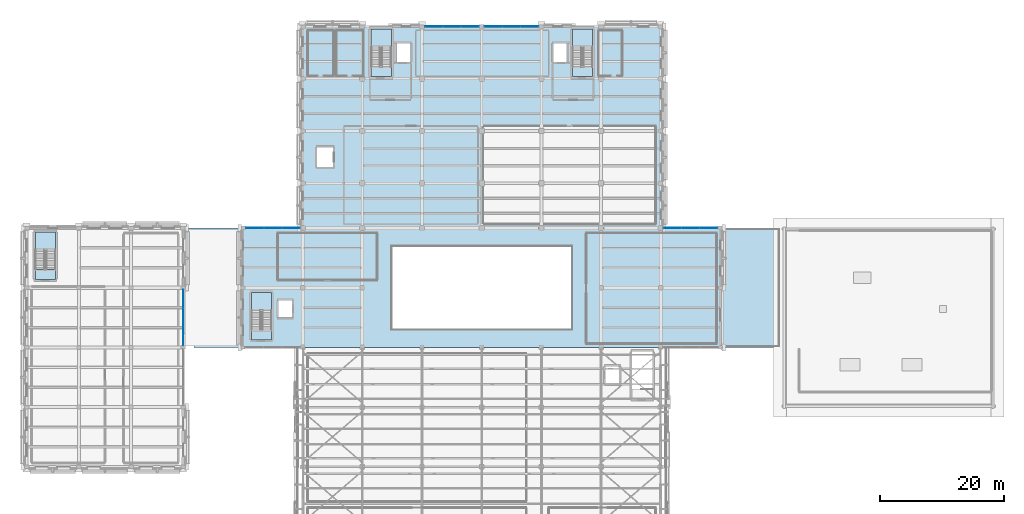
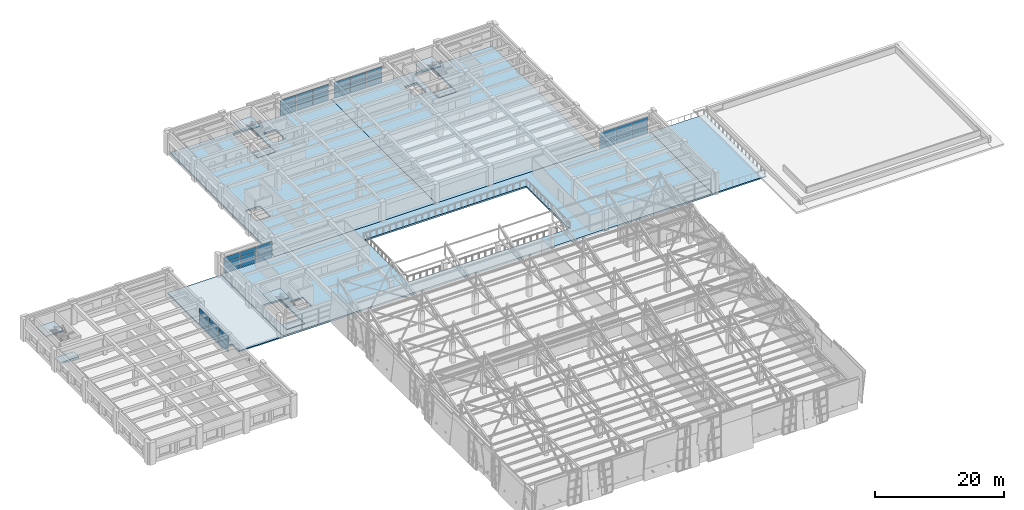
# One storey, part 37 of 71: 45 plates, 13 slabs, 9 elements without a shape of their own.
"""IFC4 building model written with IfcOpenShell, lengths in metres."""

from ifc_helpers import new_model, si_unit, direction, frame, origin, origin_2d, place, context, subcontext, project, spatial, polyline, rectangle, outline, extrude, material, layer, layer_set, type_object, element, aggregate, save


model = new_model("IFC4")

# Units and contexts
model_context = context("Model", 3, precision=1e-05, world=origin(), true_north=direction((0.0, 1.0)))
body_context = subcontext(model_context, "Body", "Model", "MODEL_VIEW")
ifc_project = project(units=[si_unit("LENGTHUNIT", "METRE"), si_unit("AREAUNIT", "SQUARE_METRE"), si_unit("VOLUMEUNIT", "CUBIC_METRE"), si_unit("PLANEANGLEUNIT", "RADIAN"), si_unit("MASSUNIT", "GRAM", prefix="KILO")], contexts=[model_context])

# Site, building, storey
site_placement = place(None, origin())
site = spatial("IfcSite", under=ifc_project, at=site_placement, CompositionType="ELEMENT")
building_placement = place(site_placement, origin())
building = spatial("IfcBuilding", under=site, at=building_placement, Name="Bempovik Park Faculty of Sciences", CompositionType="ELEMENT")
storey_placement = place(building_placement, frame((0.0, 0.0, 14.10009765625)))
storey = spatial("IfcBuildingStorey", under=building, at=storey_placement, Name="L03", CompositionType="ELEMENT", Elevation=14.10009765625)

# Curtain wall, plates
ifc_material_1 = material(Name="Tempered laminated low-E glass", Category="glass")
ifc_layer_1 = layer(ifc_material_1, 0.159912109375)
ifc_layer_set_1 = layer_set([ifc_layer_1], Name="Tempered laminated low-E glass")
curtain_wall_type_1 = type_object("IfcCurtainWallType", Name="CW-41 Curtain 6600x3800", PredefinedType="USERDEFINED", material=ifc_layer_set_1)
curtain_wall_1_placement = place(storey_placement, origin())
curtain_wall_1 = element("IfcCurtainWall", 1, at=curtain_wall_1_placement, inside=storey, type_object=curtain_wall_type_1, Name="L03 Unitised Curtain Wall (87.0,50.4)", ObjectType="UNITISED CURTAIN WALL", PredefinedType="USERDEFINED")
ifc_layer_2 = layer(ifc_material_1, 0.033935546875)
ifc_layer_set_2 = layer_set([ifc_layer_2], Name="Tempered laminated low-E glass")
plate_type_1 = type_object("IfcPlateType", Name="CP-19 Curtain Panel 34mm", PredefinedType="CURTAIN_PANEL", material=ifc_layer_set_2)
plate_1_placement = place(storey_placement, frame((52.305419921875, 87.0, 1.06640625), z_axis=(0.0, 0.0, 1.0), x_axis=(1.0, 0.0, 0.0)))
plate_1 = element("IfcPlate", 2, at=plate_1_placement, type_object=plate_type_1, Name="CW-BAY-L03-870-504 Panel 0-1", PredefinedType="CURTAIN_PANEL", context=body_context, shape_type="SweptSolid", body=[
    extrude(rectangle(XDim=2.826904296875, YDim=0.035888671875, at=origin_2d()), origin(), (0.0, 0.0, 1.0), 0.94677734375),
])
plate_2_placement = place(storey_placement, frame((52.305419921875, 87.0, 2.09326171875), z_axis=(0.0, 0.0, 1.0), x_axis=(1.0, 0.0, 0.0)))
plate_2 = element("IfcPlate", 3, at=plate_2_placement, type_object=plate_type_1, Name="CW-BAY-L03-870-504 Panel 0-2", PredefinedType="CURTAIN_PANEL", context=body_context, shape_type="SweptSolid", body=[
    extrude(rectangle(XDim=2.826904296875, YDim=0.035888671875, at=origin_2d()), origin(), (0.0, 0.0, 1.0), 0.94677734375),
])
plate_3_placement = place(storey_placement, frame((55.21240234375, 87.0, 1.06640625), z_axis=(0.0, 0.0, 1.0), x_axis=(1.0, 0.0, 0.0)))
plate_3 = element("IfcPlate", 4, at=plate_3_placement, type_object=plate_type_1, Name="CW-BAY-L03-870-504 Panel 1-1", PredefinedType="CURTAIN_PANEL", context=body_context, shape_type="SweptSolid", body=[
    extrude(rectangle(XDim=2.826904296875, YDim=0.035888671875, at=origin_2d()), origin(), (0.0, 0.0, 1.0), 0.94677734375),
])
plate_4_placement = place(storey_placement, frame((55.21240234375, 87.0, 2.09326171875), z_axis=(0.0, 0.0, 1.0), x_axis=(1.0, 0.0, 0.0)))
plate_4 = element("IfcPlate", 5, at=plate_4_placement, type_object=plate_type_1, Name="CW-BAY-L03-870-504 Panel 1-2", PredefinedType="CURTAIN_PANEL", context=body_context, shape_type="SweptSolid", body=[
    extrude(rectangle(XDim=2.826904296875, YDim=0.035888671875, at=origin_2d()), origin(), (0.0, 0.0, 1.0), 0.94677734375),
])
plate_5_placement = place(storey_placement, frame((58.119384765625, 87.0, 1.06640625), z_axis=(0.0, 0.0, 1.0), x_axis=(1.0, 0.0, 0.0)))
plate_5 = element("IfcPlate", 6, at=plate_5_placement, type_object=plate_type_1, Name="CW-BAY-L03-870-504 Panel 2-1", PredefinedType="CURTAIN_PANEL", context=body_context, shape_type="SweptSolid", body=[
    extrude(rectangle(XDim=2.826904296875, YDim=0.035888671875, at=origin_2d()), origin(), (0.0, 0.0, 1.0), 0.94677734375),
])
plate_6_placement = place(storey_placement, frame((58.119384765625, 87.0, 2.09326171875), z_axis=(0.0, 0.0, 1.0), x_axis=(1.0, 0.0, 0.0)))
plate_6 = element("IfcPlate", 7, at=plate_6_placement, type_object=plate_type_1, Name="CW-BAY-L03-870-504 Panel 2-2", PredefinedType="CURTAIN_PANEL", context=body_context, shape_type="SweptSolid", body=[
    extrude(rectangle(XDim=2.826904296875, YDim=0.035888671875, at=origin_2d()), origin(), (0.0, 0.0, 1.0), 0.94677734375),
])

curtain_wall_2_placement = place(storey_placement, origin())
curtain_wall_2 = element("IfcCurtainWall", 8, at=curtain_wall_2_placement, inside=storey, type_object=curtain_wall_type_1, Name="L03 Unitised Curtain Wall (87.0,117.6)", ObjectType="UNITISED CURTAIN WALL", PredefinedType="USERDEFINED")
plate_7_placement = place(storey_placement, frame((119.48046875, 87.0, 1.06640625), z_axis=(0.0, 0.0, 1.0), x_axis=(1.0, 0.0, 0.0)))
plate_7 = element("IfcPlate", 9, at=plate_7_placement, type_object=plate_type_1, Name="CW-BAY-L03-870-1176 Panel 0-1", PredefinedType="CURTAIN_PANEL", context=body_context, shape_type="SweptSolid", body=[
    extrude(rectangle(XDim=2.826904296875, YDim=0.035888671875, at=origin_2d()), origin(), (0.0, 0.0, 1.0), 0.94677734375),
])
plate_8_placement = place(storey_placement, frame((119.48046875, 87.0, 2.09326171875), z_axis=(0.0, 0.0, 1.0), x_axis=(1.0, 0.0, 0.0)))
plate_8 = element("IfcPlate", 10, at=plate_8_placement, type_object=plate_type_1, Name="CW-BAY-L03-870-1176 Panel 0-2", PredefinedType="CURTAIN_PANEL", context=body_context, shape_type="SweptSolid", body=[
    extrude(rectangle(XDim=2.826904296875, YDim=0.035888671875, at=origin_2d()), origin(), (0.0, 0.0, 1.0), 0.94677734375),
])
plate_9_placement = place(storey_placement, frame((122.387451171875, 87.0, 1.06640625), z_axis=(0.0, 0.0, 1.0), x_axis=(1.0, 0.0, 0.0)))
plate_9 = element("IfcPlate", 11, at=plate_9_placement, type_object=plate_type_1, Name="CW-BAY-L03-870-1176 Panel 1-1", PredefinedType="CURTAIN_PANEL", context=body_context, shape_type="SweptSolid", body=[
    extrude(rectangle(XDim=2.826904296875, YDim=0.035888671875, at=origin_2d()), origin(), (0.0, 0.0, 1.0), 0.94677734375),
])
plate_10_placement = place(storey_placement, frame((122.387451171875, 87.0, 2.09326171875), z_axis=(0.0, 0.0, 1.0), x_axis=(1.0, 0.0, 0.0)))
plate_10 = element("IfcPlate", 12, at=plate_10_placement, type_object=plate_type_1, Name="CW-BAY-L03-870-1176 Panel 1-2", PredefinedType="CURTAIN_PANEL", context=body_context, shape_type="SweptSolid", body=[
    extrude(rectangle(XDim=2.826904296875, YDim=0.035888671875, at=origin_2d()), origin(), (0.0, 0.0, 1.0), 0.94677734375),
])
plate_11_placement = place(storey_placement, frame((125.29443359375, 87.0, 1.06640625), z_axis=(0.0, 0.0, 1.0), x_axis=(1.0, 0.0, 0.0)))
plate_11 = element("IfcPlate", 13, at=plate_11_placement, type_object=plate_type_1, Name="CW-BAY-L03-870-1176 Panel 2-1", PredefinedType="CURTAIN_PANEL", context=body_context, shape_type="SweptSolid", body=[
    extrude(rectangle(XDim=2.826904296875, YDim=0.035888671875, at=origin_2d()), origin(), (0.0, 0.0, 1.0), 0.94677734375),
])
plate_12_placement = place(storey_placement, frame((125.29443359375, 87.0, 2.09326171875), z_axis=(0.0, 0.0, 1.0), x_axis=(1.0, 0.0, 0.0)))
plate_12 = element("IfcPlate", 14, at=plate_12_placement, type_object=plate_type_1, Name="CW-BAY-L03-870-1176 Panel 2-2", PredefinedType="CURTAIN_PANEL", context=body_context, shape_type="SweptSolid", body=[
    extrude(rectangle(XDim=2.826904296875, YDim=0.035888671875, at=origin_2d()), origin(), (0.0, 0.0, 1.0), 0.94677734375),
])

ifc_layer_3 = layer(ifc_material_1, 0.159912109375)
ifc_layer_set_3 = layer_set([ifc_layer_3], Name="Tempered laminated low-E glass")
curtain_wall_type_2 = type_object("IfcCurtainWallType", Name="CW-24 Curtain 7000x3500", PredefinedType="USERDEFINED", material=ifc_layer_set_3)
curtain_wall_3_placement = place(storey_placement, origin())
curtain_wall_3 = element("IfcCurtainWall", 15, at=curtain_wall_3_placement, inside=storey, type_object=curtain_wall_type_2, Name="L03 Unitised Curtain Wall (119.4,79.2)", ObjectType="UNITISED CURTAIN WALL", PredefinedType="USERDEFINED")
ifc_layer_4 = layer(ifc_material_1, 0.028076171875)
ifc_layer_set_4 = layer_set([ifc_layer_4], Name="Tempered laminated low-E glass")
plate_type_2 = type_object("IfcPlateType", Name="CP-20 Curtain Panel 28mm", PredefinedType="CURTAIN_PANEL", material=ifc_layer_set_4)
plate_13_placement = place(storey_placement, frame((81.101318359375, 119.39990234375, 1.06640625), z_axis=(0.0, 0.0, 1.0), x_axis=(1.0, 0.0, 0.0)))
plate_13 = element("IfcPlate", 16, at=plate_13_placement, type_object=plate_type_2, Name="CW-BAY-L03-1194-792 Panel 0-1", PredefinedType="CURTAIN_PANEL", context=body_context, shape_type="SweptSolid", body=[
    extrude(rectangle(XDim=2.818603515625, YDim=0.035888671875, at=origin_2d()), origin(), (0.0, 0.0, 1.0), 0.94677734375),
])
plate_14_placement = place(storey_placement, frame((81.101318359375, 119.39990234375, 2.09326171875), z_axis=(0.0, 0.0, 1.0), x_axis=(1.0, 0.0, 0.0)))
plate_14 = element("IfcPlate", 17, at=plate_14_placement, type_object=plate_type_2, Name="CW-BAY-L03-1194-792 Panel 0-2", PredefinedType="CURTAIN_PANEL", context=body_context, shape_type="SweptSolid", body=[
    extrude(rectangle(XDim=2.818603515625, YDim=0.035888671875, at=origin_2d()), origin(), (0.0, 0.0, 1.0), 0.94677734375),
])
plate_15_placement = place(storey_placement, frame((84.0, 119.39990234375, 1.06640625), z_axis=(0.0, 0.0, 1.0), x_axis=(1.0, 0.0, 0.0)))
plate_15 = element("IfcPlate", 18, at=plate_15_placement, type_object=plate_type_2, Name="CW-BAY-L03-1194-792 Panel 1-1", PredefinedType="CURTAIN_PANEL", context=body_context, shape_type="SweptSolid", body=[
    extrude(rectangle(XDim=2.818603515625, YDim=0.035888671875, at=origin_2d()), origin(), (0.0, 0.0, 1.0), 0.94677734375),
])
plate_16_placement = place(storey_placement, frame((84.0, 119.39990234375, 2.09326171875), z_axis=(0.0, 0.0, 1.0), x_axis=(1.0, 0.0, 0.0)))
plate_16 = element("IfcPlate", 19, at=plate_16_placement, type_object=plate_type_2, Name="CW-BAY-L03-1194-792 Panel 1-2", PredefinedType="CURTAIN_PANEL", context=body_context, shape_type="SweptSolid", body=[
    extrude(rectangle(XDim=2.818603515625, YDim=0.035888671875, at=origin_2d()), origin(), (0.0, 0.0, 1.0), 0.94677734375),
])
plate_17_placement = place(storey_placement, frame((86.898681640625, 119.39990234375, 1.06640625), z_axis=(0.0, 0.0, 1.0), x_axis=(1.0, 0.0, 0.0)))
plate_17 = element("IfcPlate", 20, at=plate_17_placement, type_object=plate_type_2, Name="CW-BAY-L03-1194-792 Panel 2-1", PredefinedType="CURTAIN_PANEL", context=body_context, shape_type="SweptSolid", body=[
    extrude(rectangle(XDim=2.818603515625, YDim=0.035888671875, at=origin_2d()), origin(), (0.0, 0.0, 1.0), 0.94677734375),
])
plate_18_placement = place(storey_placement, frame((86.898681640625, 119.39990234375, 2.09326171875), z_axis=(0.0, 0.0, 1.0), x_axis=(1.0, 0.0, 0.0)))
plate_18 = element("IfcPlate", 21, at=plate_18_placement, type_object=plate_type_2, Name="CW-BAY-L03-1194-792 Panel 2-2", PredefinedType="CURTAIN_PANEL", context=body_context, shape_type="SweptSolid", body=[
    extrude(rectangle(XDim=2.818603515625, YDim=0.035888671875, at=origin_2d()), origin(), (0.0, 0.0, 1.0), 0.94677734375),
])

curtain_wall_4_placement = place(storey_placement, origin())
curtain_wall_4 = element("IfcCurtainWall", 22, at=curtain_wall_4_placement, inside=storey, type_object=curtain_wall_type_2, Name="L03 Unitised Curtain Wall (119.4,88.8)", ObjectType="UNITISED CURTAIN WALL", PredefinedType="USERDEFINED")
plate_19_placement = place(storey_placement, frame((90.701416015625, 119.39990234375, 1.06640625), z_axis=(0.0, 0.0, 1.0), x_axis=(1.0, 0.0, 0.0)))
plate_19 = element("IfcPlate", 23, at=plate_19_placement, type_object=plate_type_2, Name="CW-BAY-L03-1194-888 Panel 0-1", PredefinedType="CURTAIN_PANEL", context=body_context, shape_type="SweptSolid", body=[
    extrude(rectangle(XDim=2.818603515625, YDim=0.035888671875, at=origin_2d()), origin(), (0.0, 0.0, 1.0), 0.94677734375),
])
plate_20_placement = place(storey_placement, frame((90.701416015625, 119.39990234375, 2.09326171875), z_axis=(0.0, 0.0, 1.0), x_axis=(1.0, 0.0, 0.0)))
plate_20 = element("IfcPlate", 24, at=plate_20_placement, type_object=plate_type_2, Name="CW-BAY-L03-1194-888 Panel 0-2", PredefinedType="CURTAIN_PANEL", context=body_context, shape_type="SweptSolid", body=[
    extrude(rectangle(XDim=2.818603515625, YDim=0.035888671875, at=origin_2d()), origin(), (0.0, 0.0, 1.0), 0.94677734375),
])
plate_21_placement = place(storey_placement, frame((93.60009765625, 119.39990234375, 1.06640625), z_axis=(0.0, 0.0, 1.0), x_axis=(1.0, 0.0, 0.0)))
plate_21 = element("IfcPlate", 25, at=plate_21_placement, type_object=plate_type_2, Name="CW-BAY-L03-1194-888 Panel 1-1", PredefinedType="CURTAIN_PANEL", context=body_context, shape_type="SweptSolid", body=[
    extrude(rectangle(XDim=2.818603515625, YDim=0.035888671875, at=origin_2d()), origin(), (0.0, 0.0, 1.0), 0.94677734375),
])
plate_22_placement = place(storey_placement, frame((93.60009765625, 119.39990234375, 2.09326171875), z_axis=(0.0, 0.0, 1.0), x_axis=(1.0, 0.0, 0.0)))
plate_22 = element("IfcPlate", 26, at=plate_22_placement, type_object=plate_type_2, Name="CW-BAY-L03-1194-888 Panel 1-2", PredefinedType="CURTAIN_PANEL", context=body_context, shape_type="SweptSolid", body=[
    extrude(rectangle(XDim=2.818603515625, YDim=0.035888671875, at=origin_2d()), origin(), (0.0, 0.0, 1.0), 0.94677734375),
])
plate_23_placement = place(storey_placement, frame((96.498779296875, 119.39990234375, 1.06640625), z_axis=(0.0, 0.0, 1.0), x_axis=(1.0, 0.0, 0.0)))
plate_23 = element("IfcPlate", 27, at=plate_23_placement, type_object=plate_type_2, Name="CW-BAY-L03-1194-888 Panel 2-1", PredefinedType="CURTAIN_PANEL", context=body_context, shape_type="SweptSolid", body=[
    extrude(rectangle(XDim=2.818603515625, YDim=0.035888671875, at=origin_2d()), origin(), (0.0, 0.0, 1.0), 0.94677734375),
])
plate_24_placement = place(storey_placement, frame((96.498779296875, 119.39990234375, 2.09326171875), z_axis=(0.0, 0.0, 1.0), x_axis=(1.0, 0.0, 0.0)))
plate_24 = element("IfcPlate", 28, at=plate_24_placement, type_object=plate_type_2, Name="CW-BAY-L03-1194-888 Panel 2-2", PredefinedType="CURTAIN_PANEL", context=body_context, shape_type="SweptSolid", body=[
    extrude(rectangle(XDim=2.818603515625, YDim=0.035888671875, at=origin_2d()), origin(), (0.0, 0.0, 1.0), 0.94677734375),
])

ifc_layer_5 = layer(ifc_material_1, 0.159912109375)
ifc_layer_set_5 = layer_set([ifc_layer_5], Name="Tempered laminated low-E glass")
curtain_wall_type_3 = type_object("IfcCurtainWallType", Name="CW-42 Curtain 6400x3700", PredefinedType="USERDEFINED", material=ifc_layer_set_5)
curtain_wall_5_placement = place(storey_placement, origin())
curtain_wall_5 = element("IfcCurtainWall", 29, at=curtain_wall_5_placement, inside=storey, type_object=curtain_wall_type_3, Name="L03 Unitised Curtain Wall (40.8,67.8)", ObjectType="UNITISED CURTAIN WALL", PredefinedType="USERDEFINED")
plate_25_placement = place(storey_placement, frame((40.800048828125, 69.581298828125, 1.06640625), z_axis=(0.0, 0.0, 1.0), x_axis=(0.0, 1.0, 0.0)))
plate_25 = element("IfcPlate", 30, at=plate_25_placement, type_object=plate_type_2, Name="CW-BAY-L03-408-678 Panel 0-1", PredefinedType="CURTAIN_PANEL", context=body_context, shape_type="SweptSolid", body=[
    extrude(rectangle(XDim=2.938720703125, YDim=0.035888671875, at=origin_2d()), origin(), (0.0, 0.0, 1.0), 0.94677734375),
])
plate_26_placement = place(storey_placement, frame((40.800048828125, 69.581298828125, 2.09326171875), z_axis=(0.0, 0.0, 1.0), x_axis=(0.0, 1.0, 0.0)))
plate_26 = element("IfcPlate", 31, at=plate_26_placement, type_object=plate_type_2, Name="CW-BAY-L03-408-678 Panel 0-2", PredefinedType="CURTAIN_PANEL", context=body_context, shape_type="SweptSolid", body=[
    extrude(rectangle(XDim=2.938720703125, YDim=0.035888671875, at=origin_2d()), origin(), (0.0, 0.0, 1.0), 0.94677734375),
])
plate_27_placement = place(storey_placement, frame((40.800048828125, 72.60009765625, 1.06640625), z_axis=(0.0, 0.0, 1.0), x_axis=(0.0, 1.0, 0.0)))
plate_27 = element("IfcPlate", 32, at=plate_27_placement, type_object=plate_type_2, Name="CW-BAY-L03-408-678 Panel 1-1", PredefinedType="CURTAIN_PANEL", context=body_context, shape_type="SweptSolid", body=[
    extrude(rectangle(XDim=2.938720703125, YDim=0.035888671875, at=origin_2d()), origin(), (0.0, 0.0, 1.0), 0.94677734375),
])
plate_28_placement = place(storey_placement, frame((40.800048828125, 72.60009765625, 2.09326171875), z_axis=(0.0, 0.0, 1.0), x_axis=(0.0, 1.0, 0.0)))
plate_28 = element("IfcPlate", 33, at=plate_28_placement, type_object=plate_type_2, Name="CW-BAY-L03-408-678 Panel 1-2", PredefinedType="CURTAIN_PANEL", context=body_context, shape_type="SweptSolid", body=[
    extrude(rectangle(XDim=2.938720703125, YDim=0.035888671875, at=origin_2d()), origin(), (0.0, 0.0, 1.0), 0.94677734375),
])
plate_29_placement = place(storey_placement, frame((40.800048828125, 75.61865234375, 1.06640625), z_axis=(0.0, 0.0, 1.0), x_axis=(0.0, 1.0, 0.0)))
plate_29 = element("IfcPlate", 34, at=plate_29_placement, type_object=plate_type_2, Name="CW-BAY-L03-408-678 Panel 2-1", PredefinedType="CURTAIN_PANEL", context=body_context, shape_type="SweptSolid", body=[
    extrude(rectangle(XDim=2.938720703125, YDim=0.035888671875, at=origin_2d()), origin(), (0.0, 0.0, 1.0), 0.94677734375),
])
plate_30_placement = place(storey_placement, frame((40.800048828125, 75.61865234375, 2.09326171875), z_axis=(0.0, 0.0, 1.0), x_axis=(0.0, 1.0, 0.0)))
plate_30 = element("IfcPlate", 35, at=plate_30_placement, type_object=plate_type_2, Name="CW-BAY-L03-408-678 Panel 2-2", PredefinedType="CURTAIN_PANEL", context=body_context, shape_type="SweptSolid", body=[
    extrude(rectangle(XDim=2.938720703125, YDim=0.035888671875, at=origin_2d()), origin(), (0.0, 0.0, 1.0), 0.94677734375),
])

# Plate
ifc_material_2 = material(Name="Anodised architectural bronze")
ifc_layer_6 = layer(ifc_material_2, 0.048095703125)
ifc_layer_set_6 = layer_set([ifc_layer_6], Name="Anodised architectural bronze")
plate_type_3 = type_object("IfcPlateType", Name="CP-24 Curtain Panel 48mm", PredefinedType="CURTAIN_PANEL", material=ifc_layer_set_6)
plate_31_placement = place(storey_placement, frame((52.305419921875, 87.0, 0.039794921875), z_axis=(0.0, 0.0, 1.0), x_axis=(1.0, 0.0, 0.0)))
plate_31 = element("IfcPlate", 36, at=plate_31_placement, type_object=plate_type_3, Name="CW-BAY-L03-870-504 Panel 0-0", PredefinedType="CURTAIN_PANEL", context=body_context, shape_type="SweptSolid", body=[
    extrude(rectangle(XDim=2.826904296875, YDim=0.035888671875, at=origin_2d()), origin(), (0.0, 0.0, 1.0), 0.94677734375),
])

plate_32_placement = place(storey_placement, frame((55.21240234375, 87.0, 0.039794921875), z_axis=(0.0, 0.0, 1.0), x_axis=(1.0, 0.0, 0.0)))
plate_32 = element("IfcPlate", 37, at=plate_32_placement, type_object=plate_type_3, Name="CW-BAY-L03-870-504 Panel 1-0", PredefinedType="CURTAIN_PANEL", context=body_context, shape_type="SweptSolid", body=[
    extrude(rectangle(XDim=2.826904296875, YDim=0.035888671875, at=origin_2d()), origin(), (0.0, 0.0, 1.0), 0.94677734375),
])

plate_33_placement = place(storey_placement, frame((58.119384765625, 87.0, 0.039794921875), z_axis=(0.0, 0.0, 1.0), x_axis=(1.0, 0.0, 0.0)))
plate_33 = element("IfcPlate", 38, at=plate_33_placement, type_object=plate_type_3, Name="CW-BAY-L03-870-504 Panel 2-0", PredefinedType="CURTAIN_PANEL", context=body_context, shape_type="SweptSolid", body=[
    extrude(rectangle(XDim=2.826904296875, YDim=0.035888671875, at=origin_2d()), origin(), (0.0, 0.0, 1.0), 0.94677734375),
])

aggregate(curtain_wall_1, [plate_31, plate_1, plate_2, plate_32, plate_3, plate_4, plate_33, plate_5, plate_6])

plate_34_placement = place(storey_placement, frame((81.101318359375, 119.39990234375, 0.039794921875), z_axis=(0.0, 0.0, 1.0), x_axis=(1.0, 0.0, 0.0)))
plate_34 = element("IfcPlate", 39, at=plate_34_placement, type_object=plate_type_3, Name="CW-BAY-L03-1194-792 Panel 0-0", PredefinedType="CURTAIN_PANEL", context=body_context, shape_type="SweptSolid", body=[
    extrude(rectangle(XDim=2.818603515625, YDim=0.035888671875, at=origin_2d()), origin(), (0.0, 0.0, 1.0), 0.94677734375),
])

plate_35_placement = place(storey_placement, frame((84.0, 119.39990234375, 0.039794921875), z_axis=(0.0, 0.0, 1.0), x_axis=(1.0, 0.0, 0.0)))
plate_35 = element("IfcPlate", 40, at=plate_35_placement, type_object=plate_type_3, Name="CW-BAY-L03-1194-792 Panel 1-0", PredefinedType="CURTAIN_PANEL", context=body_context, shape_type="SweptSolid", body=[
    extrude(rectangle(XDim=2.818603515625, YDim=0.035888671875, at=origin_2d()), origin(), (0.0, 0.0, 1.0), 0.94677734375),
])

plate_36_placement = place(storey_placement, frame((86.898681640625, 119.39990234375, 0.039794921875), z_axis=(0.0, 0.0, 1.0), x_axis=(1.0, 0.0, 0.0)))
plate_36 = element("IfcPlate", 41, at=plate_36_placement, type_object=plate_type_3, Name="CW-BAY-L03-1194-792 Panel 2-0", PredefinedType="CURTAIN_PANEL", context=body_context, shape_type="SweptSolid", body=[
    extrude(rectangle(XDim=2.818603515625, YDim=0.035888671875, at=origin_2d()), origin(), (0.0, 0.0, 1.0), 0.94677734375),
])

aggregate(curtain_wall_3, [plate_34, plate_13, plate_14, plate_35, plate_15, plate_16, plate_36, plate_17, plate_18])

plate_37_placement = place(storey_placement, frame((90.701416015625, 119.39990234375, 0.039794921875), z_axis=(0.0, 0.0, 1.0), x_axis=(1.0, 0.0, 0.0)))
plate_37 = element("IfcPlate", 42, at=plate_37_placement, type_object=plate_type_3, Name="CW-BAY-L03-1194-888 Panel 0-0", PredefinedType="CURTAIN_PANEL", context=body_context, shape_type="SweptSolid", body=[
    extrude(rectangle(XDim=2.818603515625, YDim=0.035888671875, at=origin_2d()), origin(), (0.0, 0.0, 1.0), 0.94677734375),
])

plate_38_placement = place(storey_placement, frame((93.60009765625, 119.39990234375, 0.039794921875), z_axis=(0.0, 0.0, 1.0), x_axis=(1.0, 0.0, 0.0)))
plate_38 = element("IfcPlate", 43, at=plate_38_placement, type_object=plate_type_3, Name="CW-BAY-L03-1194-888 Panel 1-0", PredefinedType="CURTAIN_PANEL", context=body_context, shape_type="SweptSolid", body=[
    extrude(rectangle(XDim=2.818603515625, YDim=0.035888671875, at=origin_2d()), origin(), (0.0, 0.0, 1.0), 0.94677734375),
])

plate_39_placement = place(storey_placement, frame((96.498779296875, 119.39990234375, 0.039794921875), z_axis=(0.0, 0.0, 1.0), x_axis=(1.0, 0.0, 0.0)))
plate_39 = element("IfcPlate", 44, at=plate_39_placement, type_object=plate_type_3, Name="CW-BAY-L03-1194-888 Panel 2-0", PredefinedType="CURTAIN_PANEL", context=body_context, shape_type="SweptSolid", body=[
    extrude(rectangle(XDim=2.818603515625, YDim=0.035888671875, at=origin_2d()), origin(), (0.0, 0.0, 1.0), 0.94677734375),
])

aggregate(curtain_wall_4, [plate_37, plate_19, plate_20, plate_38, plate_21, plate_22, plate_39, plate_23, plate_24])

plate_40_placement = place(storey_placement, frame((119.48046875, 87.0, 0.039794921875), z_axis=(0.0, 0.0, 1.0), x_axis=(1.0, 0.0, 0.0)))
plate_40 = element("IfcPlate", 45, at=plate_40_placement, type_object=plate_type_3, Name="CW-BAY-L03-870-1176 Panel 0-0", PredefinedType="CURTAIN_PANEL", context=body_context, shape_type="SweptSolid", body=[
    extrude(rectangle(XDim=2.826904296875, YDim=0.035888671875, at=origin_2d()), origin(), (0.0, 0.0, 1.0), 0.94677734375),
])

plate_41_placement = place(storey_placement, frame((122.387451171875, 87.0, 0.039794921875), z_axis=(0.0, 0.0, 1.0), x_axis=(1.0, 0.0, 0.0)))
plate_41 = element("IfcPlate", 46, at=plate_41_placement, type_object=plate_type_3, Name="CW-BAY-L03-870-1176 Panel 1-0", PredefinedType="CURTAIN_PANEL", context=body_context, shape_type="SweptSolid", body=[
    extrude(rectangle(XDim=2.826904296875, YDim=0.035888671875, at=origin_2d()), origin(), (0.0, 0.0, 1.0), 0.94677734375),
])

plate_42_placement = place(storey_placement, frame((125.29443359375, 87.0, 0.039794921875), z_axis=(0.0, 0.0, 1.0), x_axis=(1.0, 0.0, 0.0)))
plate_42 = element("IfcPlate", 47, at=plate_42_placement, type_object=plate_type_3, Name="CW-BAY-L03-870-1176 Panel 2-0", PredefinedType="CURTAIN_PANEL", context=body_context, shape_type="SweptSolid", body=[
    extrude(rectangle(XDim=2.826904296875, YDim=0.035888671875, at=origin_2d()), origin(), (0.0, 0.0, 1.0), 0.94677734375),
])

aggregate(curtain_wall_2, [plate_40, plate_7, plate_8, plate_41, plate_9, plate_10, plate_42, plate_11, plate_12])

plate_43_placement = place(storey_placement, frame((40.800048828125, 69.581298828125, 0.039794921875), z_axis=(0.0, 0.0, 1.0), x_axis=(0.0, 1.0, 0.0)))
plate_43 = element("IfcPlate", 48, at=plate_43_placement, type_object=plate_type_3, Name="CW-BAY-L03-408-678 Panel 0-0", PredefinedType="CURTAIN_PANEL", context=body_context, shape_type="SweptSolid", body=[
    extrude(rectangle(XDim=2.938720703125, YDim=0.035888671875, at=origin_2d()), origin(), (0.0, 0.0, 1.0), 0.94677734375),
])

plate_44_placement = place(storey_placement, frame((40.800048828125, 72.60009765625, 0.039794921875), z_axis=(0.0, 0.0, 1.0), x_axis=(0.0, 1.0, 0.0)))
plate_44 = element("IfcPlate", 49, at=plate_44_placement, type_object=plate_type_3, Name="CW-BAY-L03-408-678 Panel 1-0", PredefinedType="CURTAIN_PANEL", context=body_context, shape_type="SweptSolid", body=[
    extrude(rectangle(XDim=2.938720703125, YDim=0.035888671875, at=origin_2d()), origin(), (0.0, 0.0, 1.0), 0.94677734375),
])

plate_45_placement = place(storey_placement, frame((40.800048828125, 75.61865234375, 0.039794921875), z_axis=(0.0, 0.0, 1.0), x_axis=(0.0, 1.0, 0.0)))
plate_45 = element("IfcPlate", 50, at=plate_45_placement, type_object=plate_type_3, Name="CW-BAY-L03-408-678 Panel 2-0", PredefinedType="CURTAIN_PANEL", context=body_context, shape_type="SweptSolid", body=[
    extrude(rectangle(XDim=2.938720703125, YDim=0.035888671875, at=origin_2d()), origin(), (0.0, 0.0, 1.0), 0.94677734375),
])

aggregate(curtain_wall_5, [plate_43, plate_25, plate_26, plate_44, plate_27, plate_28, plate_45, plate_29, plate_30])

# Slabs
ifc_material_3 = material(Name="Concrete C35/45", Category="concrete")
ifc_layer_7 = layer(ifc_material_3, 0.260009765625)
ifc_layer_set_7 = layer_set([ifc_layer_7], Name="Concrete C35/45")
slab_type_1 = type_object("IfcSlabType", Name="S-13 Slab 260mm", PredefinedType="FLOOR", material=ifc_layer_set_7)
slab_1_placement = place(storey_placement, frame((0.0, 0.0, -0.300048828125)))
element("IfcSlab", 51, at=slab_1_placement, inside=storey, type_object=slab_type_1, Name="L03 Sky-Lit Atrium & Concourse Floor Slab (M)", PredefinedType="FLOOR", context=body_context, shape_type="SweptSolid", body=[
    extrude(outline(polyline([(50.39990234375, 67.800048828125), (127.199951171875, 67.800048828125), (127.199951171875, 87.0), (50.39990234375, 87.0), (50.39990234375, 67.800048828125)]), holes=[polyline([(51.75, 69.0), (55.0, 69.0), (55.0, 76.625), (51.75, 76.625), (51.75, 69.0)]), polyline([(56.10009765625, 72.64990234375), (58.300048828125, 72.64990234375), (58.300048828125, 75.35009765625), (56.10009765625, 75.35009765625), (56.10009765625, 72.64990234375)]), polyline([(74.375, 70.75), (103.25, 70.75), (103.25, 84.0), (74.375, 84.0), (74.375, 70.75)])]), origin(), (0.0, 0.0, 1.0), 0.300048828125),
])
ifc_layer_8 = layer(ifc_material_3, 0.239990234375)
ifc_layer_set_8 = layer_set([ifc_layer_8], Name="Concrete C35/45")
slab_type_2 = type_object("IfcSlabType", Name="S-27 Slab 240mm", PredefinedType="FLOOR", material=ifc_layer_set_8)
slab_2_placement = place(storey_placement, frame((0.0, 0.0, -0.239990234375)))
element("IfcSlab", 52, at=slab_2_placement, inside=storey, type_object=slab_type_2, Name="L03 East Reading Terrace Slab", PredefinedType="FLOOR", context=body_context, shape_type="SweptSolid", body=[
    extrude(outline(polyline([(127.199951171875, 67.800048828125), (136.800048828125, 67.800048828125), (136.800048828125, 87.0), (127.199951171875, 87.0), (127.199951171875, 67.800048828125)])), origin(), (0.0, 0.0, 1.0), 0.239990234375),
])
ifc_layer_9 = layer(ifc_material_3, 0.280029296875)
ifc_layer_set_9 = layer_set([ifc_layer_9], Name="Concrete C35/45")
slab_type_3 = type_object("IfcSlabType", Name="S-32 Slab 280mm", PredefinedType="FLOOR", material=ifc_layer_set_9)
slab_3_placement = place(storey_placement, frame((0.0, 0.0, -0.300048828125)))
element("IfcSlab", 53, at=slab_3_placement, inside=storey, type_object=slab_type_3, Name="L03 North Research Tower Floor Slab (W)", PredefinedType="FLOOR", context=body_context, shape_type="SweptSolid", body=[
    extrude(outline(polyline([(60.0, 87.0), (88.800048828125, 87.0), (88.800048828125, 119.39990234375), (60.0, 119.39990234375), (60.0, 87.0)]), holes=[polyline([(71.0, 111.375), (74.25, 111.375), (74.25, 119.0), (71.0, 119.0), (71.0, 111.375)]), polyline([(75.10009765625, 113.699951171875), (77.300048828125, 113.699951171875), (77.300048828125, 116.699951171875), (75.10009765625, 116.699951171875), (75.10009765625, 113.699951171875)]), polyline([(62.300048828125, 96.800048828125), (64.89990234375, 96.800048828125), (64.89990234375, 100.0), (62.300048828125, 100.0), (62.300048828125, 96.800048828125)])]), origin(), (0.0, 0.0, 1.0), 0.300048828125),
])
slab_4_placement = place(storey_placement, frame((0.0, 0.0, -0.300048828125)))
element("IfcSlab", 54, at=slab_4_placement, inside=storey, type_object=slab_type_3, Name="L03 North Research Tower Floor Slab (E)", PredefinedType="FLOOR", context=body_context, shape_type="SweptSolid", body=[
    extrude(outline(polyline([(88.800048828125, 87.0), (117.60009765625, 87.0), (117.60009765625, 119.39990234375), (88.800048828125, 119.39990234375), (88.800048828125, 87.0)]), holes=[polyline([(103.375, 111.375), (106.625, 111.375), (106.625, 119.0), (103.375, 119.0), (103.375, 111.375)]), polyline([(100.300048828125, 113.699951171875), (102.5, 113.699951171875), (102.5, 116.699951171875), (100.300048828125, 116.699951171875), (100.300048828125, 113.699951171875)])]), origin(), (0.0, 0.0, 1.0), 0.300048828125),
])
ifc_layer_10 = layer(ifc_material_3, 0.219970703125)
ifc_layer_set_10 = layer_set([ifc_layer_10], Name="Concrete C35/45")
slab_type_4 = type_object("IfcSlabType", Name="S-38 Slab 220mm", PredefinedType="ROOF", material=ifc_layer_set_10)
slab_5_placement = place(storey_placement, frame((0.0, 0.0, -0.300048828125)))
element("IfcSlab", 55, at=slab_5_placement, inside=storey, type_object=slab_type_4, Name="Flat Concrete Roof Slab RF-V2-STEPW", PredefinedType="ROOF", context=body_context, shape_type="SweptSolid", body=[
    extrude(outline(polyline([(42.528076171875, 67.800048828125), (50.39990234375, 67.800048828125), (50.39990234375, 87.0), (40.800048828125, 87.0), (40.800048828125, 70.0), (42.528076171875, 70.0), (42.528076171875, 67.800048828125)])), origin(), (0.0, 0.0, 1.0), 0.219970703125),
])

# Stair, slab
stair_type = type_object("IfcStairType", Name="ST-16 Stair W1500 H4200", PredefinedType="HALF_TURN_STAIR", material=ifc_material_3)
stair_1_placement = place(storey_placement, origin())
stair_1 = element("IfcStair", 56, at=stair_1_placement, inside=storey, type_object=stair_type, Name="L03 ST-1 Dog-Leg Exit Stair", PredefinedType="HALF_TURN_STAIR")
ifc_layer_11 = layer(ifc_material_3, 0.199951171875)
ifc_layer_set_11 = layer_set([ifc_layer_11], Name="Concrete C35/45")
slab_type_5 = type_object("IfcSlabType", Name="S-41 Slab 200mm", PredefinedType="LANDING", material=ifc_layer_set_11)
slab_6_placement = place(storey_placement, frame((0.0, 0.0, 1.89990234375)))
slab_6 = element("IfcSlab", 57, at=slab_6_placement, type_object=slab_type_5, Name="ST-16 landing 1", PredefinedType="LANDING", context=body_context, shape_type="SweptSolid", body=[
    extrude(outline(polyline([(74.25, 116.09375), (74.25, 119.0), (71.0, 119.0), (71.0, 116.09375), (74.25, 116.09375)])), origin(), (0.0, 0.0, 1.0), 0.199951171875),
])
aggregate(stair_1, [slab_6])

# Slab
slab_7_placement = place(storey_placement, frame((0.0, 0.0, -0.300048828125)))
element("IfcSlab", 58, at=slab_7_placement, inside=storey, type_object=slab_type_5, Name="L03 ST-1 Floor Landing Slab", PredefinedType="LANDING", context=body_context, shape_type="SweptSolid", body=[
    extrude(outline(polyline([(74.25, 111.375), (74.25, 113.0), (71.0, 113.0), (71.0, 111.375), (74.25, 111.375)])), origin(), (0.0, 0.0, 1.0), 0.300048828125),
])

# Stair, slab
stair_2_placement = place(storey_placement, origin())
stair_2 = element("IfcStair", 59, at=stair_2_placement, inside=storey, type_object=stair_type, Name="L03 ST-2 Dog-Leg Exit Stair", PredefinedType="HALF_TURN_STAIR")
slab_8_placement = place(storey_placement, frame((0.0, 0.0, 1.89990234375)))
slab_8 = element("IfcSlab", 60, at=slab_8_placement, type_object=slab_type_5, Name="ST-16 landing 1", PredefinedType="LANDING", context=body_context, shape_type="SweptSolid", body=[
    extrude(outline(polyline([(106.625, 116.09375), (106.625, 119.0), (103.375, 119.0), (103.375, 116.09375), (106.625, 116.09375)])), origin(), (0.0, 0.0, 1.0), 0.199951171875),
])
aggregate(stair_2, [slab_8])

# Slab
slab_9_placement = place(storey_placement, frame((0.0, 0.0, -0.300048828125)))
element("IfcSlab", 61, at=slab_9_placement, inside=storey, type_object=slab_type_5, Name="L03 ST-2 Floor Landing Slab", PredefinedType="LANDING", context=body_context, shape_type="SweptSolid", body=[
    extrude(outline(polyline([(106.625, 111.375), (106.625, 113.0), (103.375, 113.0), (103.375, 111.375), (106.625, 111.375)])), origin(), (0.0, 0.0, 1.0), 0.300048828125),
])

# Stair, slab
stair_3_placement = place(storey_placement, origin())
stair_3 = element("IfcStair", 62, at=stair_3_placement, inside=storey, type_object=stair_type, Name="L03 ST-3 Dog-Leg Exit Stair", PredefinedType="HALF_TURN_STAIR")
slab_10_placement = place(storey_placement, frame((0.0, 0.0, 1.89990234375)))
slab_10 = element("IfcSlab", 63, at=slab_10_placement, type_object=slab_type_5, Name="ST-16 landing 1", PredefinedType="LANDING", context=body_context, shape_type="SweptSolid", body=[
    extrude(outline(polyline([(20.25, 83.46875), (20.25, 86.375), (17.0, 86.375), (17.0, 83.46875), (20.25, 83.46875)])), origin(), (0.0, 0.0, 1.0), 0.199951171875),
])
aggregate(stair_3, [slab_10])

# Slab
slab_11_placement = place(storey_placement, frame((0.0, 0.0, -0.300048828125)))
element("IfcSlab", 64, at=slab_11_placement, inside=storey, type_object=slab_type_5, Name="L03 ST-3 Floor Landing Slab", PredefinedType="LANDING", context=body_context, shape_type="SweptSolid", body=[
    extrude(outline(polyline([(20.25, 78.75), (20.25, 80.375), (17.0, 80.375), (17.0, 78.75), (20.25, 78.75)])), origin(), (0.0, 0.0, 1.0), 0.300048828125),
])

# Stair, slab
stair_4_placement = place(storey_placement, origin())
stair_4 = element("IfcStair", 65, at=stair_4_placement, inside=storey, type_object=stair_type, Name="L03 ST-4 Dog-Leg Exit Stair", PredefinedType="HALF_TURN_STAIR")
slab_12_placement = place(storey_placement, frame((0.0, 0.0, 1.89990234375)))
slab_12 = element("IfcSlab", 66, at=slab_12_placement, type_object=slab_type_5, Name="ST-16 landing 1", PredefinedType="LANDING", context=body_context, shape_type="SweptSolid", body=[
    extrude(outline(polyline([(55.0, 73.71875), (55.0, 76.625), (51.75, 76.625), (51.75, 73.71875), (55.0, 73.71875)])), origin(), (0.0, 0.0, 1.0), 0.199951171875),
])
aggregate(stair_4, [slab_12])

# Slab
slab_13_placement = place(storey_placement, frame((0.0, 0.0, -0.300048828125)))
element("IfcSlab", 67, at=slab_13_placement, inside=storey, type_object=slab_type_5, Name="L03 ST-4 Floor Landing Slab", PredefinedType="LANDING", context=body_context, shape_type="SweptSolid", body=[
    extrude(outline(polyline([(55.0, 69.0), (55.0, 70.625), (51.75, 70.625), (51.75, 69.0), (55.0, 69.0)])), origin(), (0.0, 0.0, 1.0), 0.300048828125),
])

save(model, "model.ifc")
